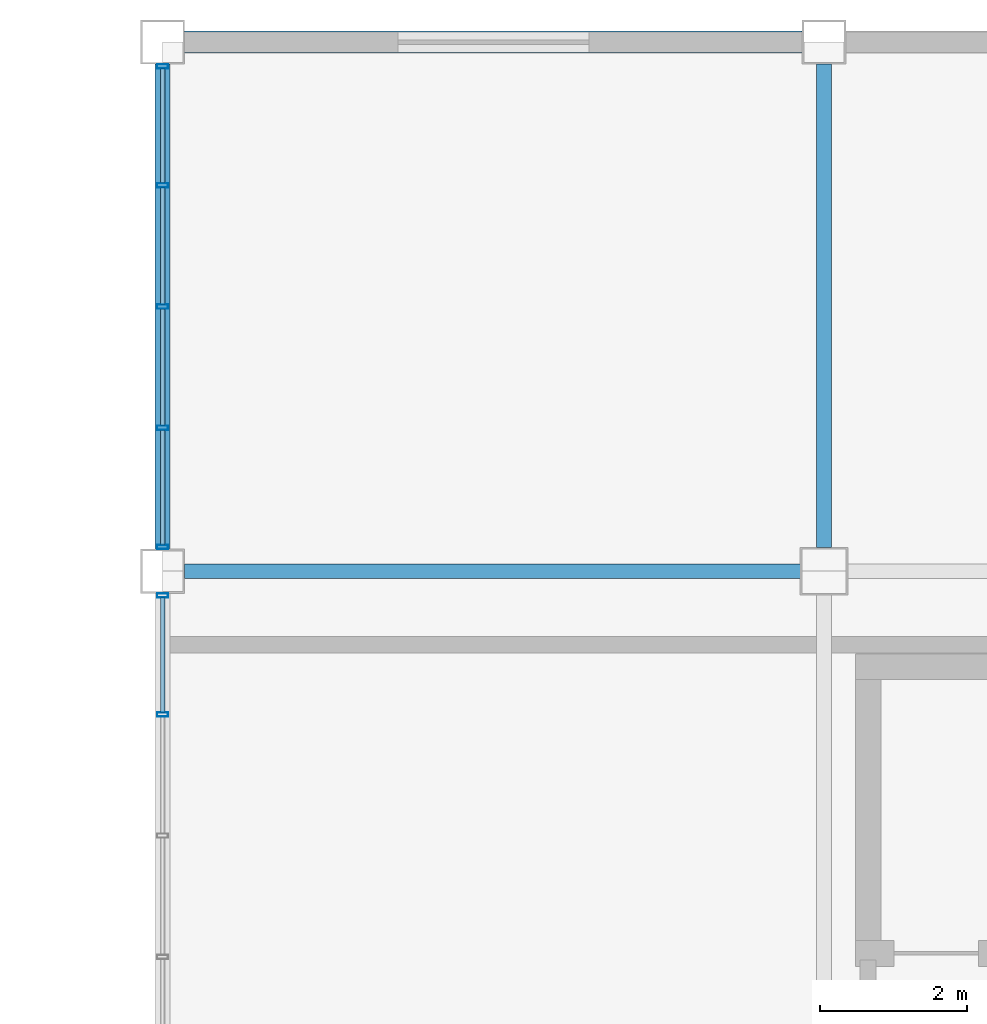
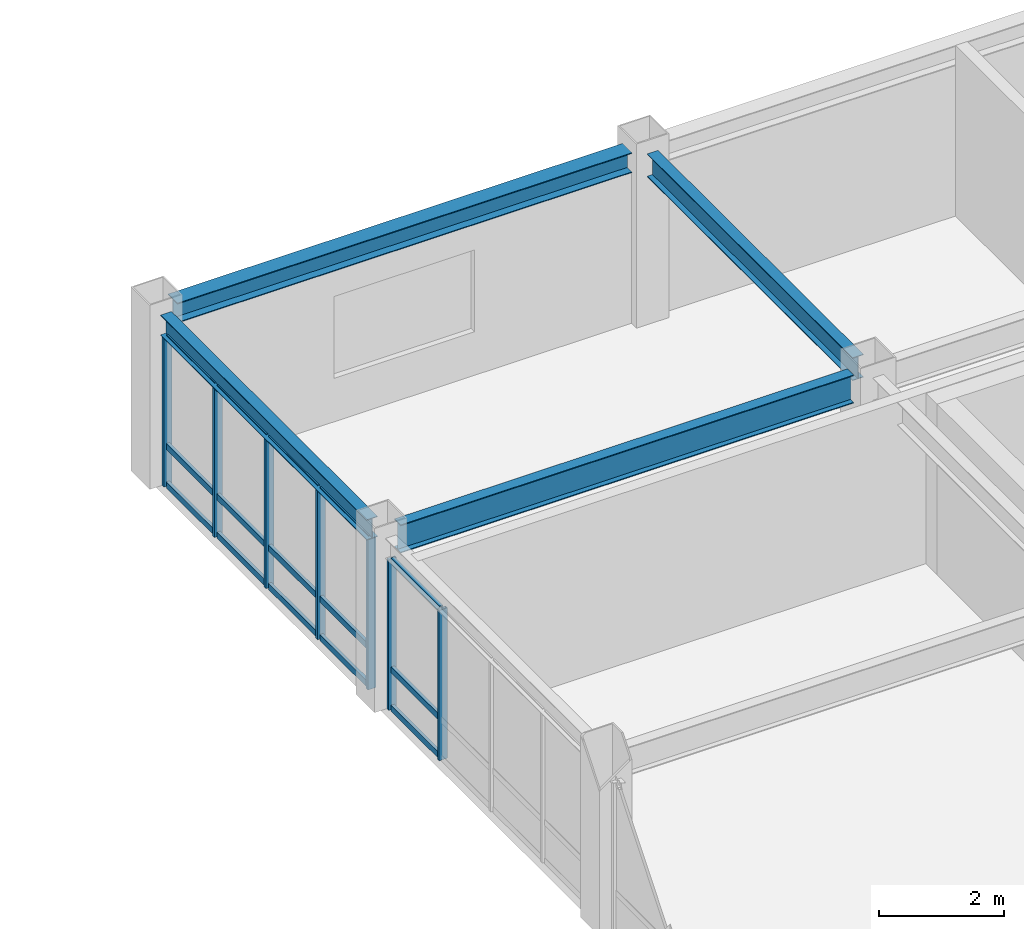
# One storey, part 20 of 34: 22 members, 4 beams, 2 elements without a shape of their own.
"""IFC4 building model written with IfcOpenShell, lengths in metres."""

from ifc_helpers import new_model, si_unit, direction, frame, origin, origin_2d, place, context, subcontext, project, spatial, hollow_rectangle, i_section, extrude, material, material_profile, profile_set, type_object, element, aggregate, save


model = new_model("IFC4")

# Units and contexts
model_context = context("Model", 3, precision=1e-05, world=origin(), true_north=direction((0.0, 1.0)))
body_context = subcontext(model_context, "Body", "Model", "MODEL_VIEW")
ifc_project = project(units=[si_unit("LENGTHUNIT", "METRE"), si_unit("AREAUNIT", "SQUARE_METRE"), si_unit("VOLUMEUNIT", "CUBIC_METRE"), si_unit("PLANEANGLEUNIT", "RADIAN"), si_unit("MASSUNIT", "GRAM", prefix="KILO")], contexts=[model_context])

# Site, building, storey
site_placement = place(None, origin())
site = spatial("IfcSite", under=ifc_project, at=site_placement, CompositionType="ELEMENT")
building_placement = place(site_placement, origin())
building = spatial("IfcBuilding", under=site, at=building_placement, Name="Kazanami Central Library", CompositionType="ELEMENT")
storey_placement = place(building_placement, frame((0.0, 0.0, 17.0)))
storey = spatial("IfcBuildingStorey", under=building, at=storey_placement, Name="L05", CompositionType="ELEMENT", Elevation=17.0)

# Beams
ifc_material_1 = material(Name="Steel SN490B (325 MPa)", Category="steel")
ifc_material_profile_1 = material_profile(ifc_material_1, i_section(OverallWidth=0.199951171875, OverallDepth=0.550048828125, WebThickness=0.010009765625, FlangeThickness=0.01611328125, at=origin_2d()), Name="H-550x200x10x16")
ifc_profile_set_1 = profile_set([ifc_material_profile_1], Name="Steel SN490B (325 MPa)")
beam_type_1 = type_object("IfcBeamType", Name="BM-G-X3", PredefinedType="BEAM", material=ifc_profile_set_1)
beam_1_placement = place(storey_placement, frame((117.298095703125, 86.39990234375, 3.06494140625), z_axis=(1.0, 0.0, 0.0), x_axis=(0.0, 1.0, 0.0)))
element("IfcBeam", 1, at=beam_1_placement, inside=storey, type_object=beam_type_1, Name="Girder G-X3 L05 N/14-15", PredefinedType="BEAM", context=body_context, shape_type="SweptSolid", body=[
    extrude(i_section(OverallWidth=0.199951171875, OverallDepth=0.550048828125, WebThickness=0.010009765625, FlangeThickness=0.01611328125, at=origin_2d()), origin(), (0.0, 0.0, 1.0), 8.37890625),
])
ifc_material_profile_2 = material_profile(ifc_material_1, i_section(OverallWidth=0.199951171875, OverallDepth=0.449951171875, WebThickness=0.009033203125, FlangeThickness=0.013916015625, at=origin_2d()), Name="H-450x200x9x14")
ifc_profile_set_2 = profile_set([ifc_material_profile_2], Name="Steel SN490B (325 MPa)")
beam_type_2 = type_object("IfcBeamType", Name="BM-G-Y3", PredefinedType="BEAM", material=ifc_profile_set_2)
beam_2_placement = place(storey_placement, frame((126.0, 86.722900390625, 3.114990234375), z_axis=(0.0, 1.0, 0.0), x_axis=(-1.0, 0.0, 0.0)))
element("IfcBeam", 2, at=beam_2_placement, inside=storey, type_object=beam_type_2, Name="Girder G-Y3 L05 15/N-O", PredefinedType="BEAM", context=body_context, shape_type="SweptSolid", body=[
    extrude(i_section(OverallWidth=0.199951171875, OverallDepth=0.449951171875, WebThickness=0.009033203125, FlangeThickness=0.013916015625, at=origin_2d()), origin(), (0.0, 0.0, 1.0), 6.5791015625),
])
ifc_material_profile_3 = material_profile(ifc_material_1, i_section(OverallWidth=0.199951171875, OverallDepth=0.39990234375, WebThickness=0.008056640625, FlangeThickness=0.012939453125, at=origin_2d()), Name="H-400x200x8x13")
ifc_profile_set_3 = profile_set([ifc_material_profile_3], Name="Steel SN490B (325 MPa)")
beam_type_3 = type_object("IfcBeamType", Name="BM-SP-3", PredefinedType="SPANDREL", material=ifc_profile_set_3)
beam_3_placement = place(storey_placement, frame((117.0, 86.697998046875, 3.139892578125), z_axis=(0.0, 1.0, 0.0), x_axis=(-1.0, 0.0, 0.0)))
element("IfcBeam", 3, at=beam_3_placement, inside=storey, type_object=beam_type_3, Name="Girder SP-3 L05 14/N-O", PredefinedType="SPANDREL", context=body_context, shape_type="SweptSolid", body=[
    extrude(i_section(OverallWidth=0.199951171875, OverallDepth=0.39990234375, WebThickness=0.008056640625, FlangeThickness=0.012939453125, at=origin_2d()), origin(), (0.0, 0.0, 1.0), 6.60400390625),
])
ifc_material_profile_4 = material_profile(ifc_material_1, i_section(OverallWidth=0.300048828125, OverallDepth=0.389892578125, WebThickness=0.010009765625, FlangeThickness=0.01611328125, at=origin_2d()), Name="H-390x300x10x16")
ifc_profile_set_4 = profile_set([ifc_material_profile_4], Name="Steel SN490B (325 MPa)")
beam_type_4 = type_object("IfcBeamType", Name="BM-SP-4", PredefinedType="SPANDREL", material=ifc_profile_set_4)
beam_4_placement = place(storey_placement, frame((117.298095703125, 93.60009765625, 3.14501953125), z_axis=(1.0, 0.0, 0.0), x_axis=(0.0, 1.0, 0.0)))
element("IfcBeam", 4, at=beam_4_placement, inside=storey, type_object=beam_type_4, Name="Girder SP-4 L05 O/14-15", PredefinedType="SPANDREL", context=body_context, shape_type="SweptSolid", body=[
    extrude(i_section(OverallWidth=0.300048828125, OverallDepth=0.389892578125, WebThickness=0.010009765625, FlangeThickness=0.01611328125, at=origin_2d()), origin(), (0.0, 0.0, 1.0), 8.40380859375),
])

# Curtain wall, members
ifc_material_2 = material(Name="Acid-Etched Low-E Laminated Glass", Category="glass")
curtain_wall_type = type_object("IfcCurtainWallType", Name="CW-6600x2940-M180", PredefinedType="USERDEFINED", material=ifc_material_2)
curtain_wall_1_placement = place(storey_placement, origin())
curtain_wall_1 = element("IfcCurtainWall", 5, at=curtain_wall_1_placement, inside=storey, type_object=curtain_wall_type, Name="Covered Link Bridge Curtain Wall CW-54 L05 W-14-11", ObjectType="UNITISED CURTAIN WALL", PredefinedType="USERDEFINED")
ifc_material_3 = material(Name="Anodised Aluminium A6063-T5", Category="aluminium")
ifc_material_profile_5 = material_profile(ifc_material_3, hollow_rectangle(XDim=0.06005859375, YDim=0.14990234375, WallThickness=0.00390625, at=origin_2d()), Name="ALU-MULL-60x150x4")
ifc_profile_set_5 = profile_set([ifc_material_profile_5], Name="Anodised Aluminium A6063-T5")
member_type_1 = type_object("IfcMemberType", Name="MEM-CW-M3", PredefinedType="MULLION", material=ifc_profile_set_5)
member_1_placement = place(storey_placement, frame((117.0, 84.449951171875, 0.0), z_axis=(0.0, 0.0, 1.0), x_axis=(0.0, 1.0, 0.0)))
member_1 = element("IfcMember", 6, at=member_1_placement, type_object=member_type_1, Name="CW-54 mullion 4", PredefinedType="MULLION", context=body_context, shape_type="SweptSolid", body=[
    extrude(hollow_rectangle(XDim=0.06005859375, YDim=0.14990234375, WallThickness=0.00390625, at=origin_2d()), origin(), (0.0, 0.0, 1.0), 2.93994140625),
])
member_2_placement = place(storey_placement, frame((117.0, 86.070068359375, 0.0), z_axis=(0.0, 0.0, 1.0), x_axis=(0.0, 1.0, 0.0)))
member_2 = element("IfcMember", 7, at=member_2_placement, type_object=member_type_1, Name="CW-54 mullion 5", PredefinedType="MULLION", context=body_context, shape_type="SweptSolid", body=[
    extrude(hollow_rectangle(XDim=0.06005859375, YDim=0.14990234375, WallThickness=0.00390625, at=origin_2d()), origin(), (0.0, 0.0, 1.0), 2.93994140625),
])

curtain_wall_2_placement = place(storey_placement, origin())
curtain_wall_2 = element("IfcCurtainWall", 8, at=curtain_wall_2_placement, inside=storey, type_object=curtain_wall_type, Name="Covered Link Bridge Curtain Wall CW-54 L05 W-14-12", ObjectType="UNITISED CURTAIN WALL", PredefinedType="USERDEFINED")
member_3_placement = place(storey_placement, frame((117.0, 86.72998046875, 0.0), z_axis=(0.0, 0.0, 1.0), x_axis=(0.0, 1.0, 0.0)))
member_3 = element("IfcMember", 9, at=member_3_placement, type_object=member_type_1, Name="CW-54 mullion 1", PredefinedType="MULLION", context=body_context, shape_type="SweptSolid", body=[
    extrude(hollow_rectangle(XDim=0.06005859375, YDim=0.14990234375, WallThickness=0.00390625, at=origin_2d()), origin(), (0.0, 0.0, 1.0), 2.93994140625),
])
member_4_placement = place(storey_placement, frame((117.0, 88.35009765625, 0.0), z_axis=(0.0, 0.0, 1.0), x_axis=(0.0, 1.0, 0.0)))
member_4 = element("IfcMember", 10, at=member_4_placement, type_object=member_type_1, Name="CW-54 mullion 2", PredefinedType="MULLION", context=body_context, shape_type="SweptSolid", body=[
    extrude(hollow_rectangle(XDim=0.06005859375, YDim=0.14990234375, WallThickness=0.00390625, at=origin_2d()), origin(), (0.0, 0.0, 1.0), 2.93994140625),
])
member_5_placement = place(storey_placement, frame((117.0, 90.0, 0.0), z_axis=(0.0, 0.0, 1.0), x_axis=(0.0, 1.0, 0.0)))
member_5 = element("IfcMember", 11, at=member_5_placement, type_object=member_type_1, Name="CW-54 mullion 3", PredefinedType="MULLION", context=body_context, shape_type="SweptSolid", body=[
    extrude(hollow_rectangle(XDim=0.06005859375, YDim=0.14990234375, WallThickness=0.00390625, at=origin_2d()), origin(), (0.0, 0.0, 1.0), 2.93994140625),
])
member_6_placement = place(storey_placement, frame((117.0, 91.64990234375, 0.0), z_axis=(0.0, 0.0, 1.0), x_axis=(0.0, 1.0, 0.0)))
member_6 = element("IfcMember", 12, at=member_6_placement, type_object=member_type_1, Name="CW-54 mullion 4", PredefinedType="MULLION", context=body_context, shape_type="SweptSolid", body=[
    extrude(hollow_rectangle(XDim=0.06005859375, YDim=0.14990234375, WallThickness=0.00390625, at=origin_2d()), origin(), (0.0, 0.0, 1.0), 2.93994140625),
])
member_7_placement = place(storey_placement, frame((117.0, 93.27001953125, 0.0), z_axis=(0.0, 0.0, 1.0), x_axis=(0.0, 1.0, 0.0)))
member_7 = element("IfcMember", 13, at=member_7_placement, type_object=member_type_1, Name="CW-54 mullion 5", PredefinedType="MULLION", context=body_context, shape_type="SweptSolid", body=[
    extrude(hollow_rectangle(XDim=0.06005859375, YDim=0.14990234375, WallThickness=0.00390625, at=origin_2d()), origin(), (0.0, 0.0, 1.0), 2.93994140625),
])

# Member
ifc_material_profile_6 = material_profile(ifc_material_3, hollow_rectangle(XDim=0.06005859375, YDim=0.1201171875, WallThickness=0.00341796875, at=origin_2d()), Name="ALU-TRAN-60x120x3.5")
ifc_profile_set_6 = profile_set([ifc_material_profile_6], Name="Anodised Aluminium A6063-T5")
member_type_2 = type_object("IfcMemberType", Name="MEM-CW-T3", PredefinedType="USERDEFINED", material=ifc_profile_set_6)
member_8_placement = place(storey_placement, frame((117.0, 84.47998046875, 0.030029296875), z_axis=(0.0, 1.0, 0.0), x_axis=(-1.0, 0.0, 0.0)))
member_8 = element("IfcMember", 14, at=member_8_placement, type_object=member_type_2, Name="CW-54 transom 4.1", ObjectType="TRANSOM", PredefinedType="USERDEFINED", context=body_context, shape_type="SweptSolid", body=[
    extrude(hollow_rectangle(XDim=0.06005859375, YDim=0.1201171875, WallThickness=0.00341796875, at=origin_2d()), origin(), (0.0, 0.0, 1.0), 1.56005859375),
])

member_9_placement = place(storey_placement, frame((117.0, 84.47998046875, 0.780029296875), z_axis=(0.0, 1.0, 0.0), x_axis=(-1.0, 0.0, 0.0)))
member_9 = element("IfcMember", 15, at=member_9_placement, type_object=member_type_2, Name="CW-54 transom 4.2", ObjectType="TRANSOM", PredefinedType="USERDEFINED", context=body_context, shape_type="SweptSolid", body=[
    extrude(hollow_rectangle(XDim=0.06005859375, YDim=0.1201171875, WallThickness=0.00341796875, at=origin_2d()), origin(), (0.0, 0.0, 1.0), 1.56005859375),
])

member_10_placement = place(storey_placement, frame((117.0, 84.47998046875, 2.909912109375), z_axis=(0.0, 1.0, 0.0), x_axis=(-1.0, 0.0, 0.0)))
member_10 = element("IfcMember", 16, at=member_10_placement, type_object=member_type_2, Name="CW-54 transom 4.3", ObjectType="TRANSOM", PredefinedType="USERDEFINED", context=body_context, shape_type="SweptSolid", body=[
    extrude(hollow_rectangle(XDim=0.06005859375, YDim=0.1201171875, WallThickness=0.00341796875, at=origin_2d()), origin(), (0.0, 0.0, 1.0), 1.56005859375),
])

aggregate(curtain_wall_1, [member_1, member_2, member_8, member_9, member_10])

member_11_placement = place(storey_placement, frame((117.0, 86.760009765625, 0.030029296875), z_axis=(0.0, 1.0, 0.0), x_axis=(-1.0, 0.0, 0.0)))
member_11 = element("IfcMember", 17, at=member_11_placement, type_object=member_type_2, Name="CW-54 transom 1.1", ObjectType="TRANSOM", PredefinedType="USERDEFINED", context=body_context, shape_type="SweptSolid", body=[
    extrude(hollow_rectangle(XDim=0.06005859375, YDim=0.1201171875, WallThickness=0.00341796875, at=origin_2d()), origin(), (0.0, 0.0, 1.0), 1.56005859375),
])

member_12_placement = place(storey_placement, frame((117.0, 86.760009765625, 0.780029296875), z_axis=(0.0, 1.0, 0.0), x_axis=(-1.0, 0.0, 0.0)))
member_12 = element("IfcMember", 18, at=member_12_placement, type_object=member_type_2, Name="CW-54 transom 1.2", ObjectType="TRANSOM", PredefinedType="USERDEFINED", context=body_context, shape_type="SweptSolid", body=[
    extrude(hollow_rectangle(XDim=0.06005859375, YDim=0.1201171875, WallThickness=0.00341796875, at=origin_2d()), origin(), (0.0, 0.0, 1.0), 1.56005859375),
])

member_13_placement = place(storey_placement, frame((117.0, 86.760009765625, 2.909912109375), z_axis=(0.0, 1.0, 0.0), x_axis=(-1.0, 0.0, 0.0)))
member_13 = element("IfcMember", 19, at=member_13_placement, type_object=member_type_2, Name="CW-54 transom 1.3", ObjectType="TRANSOM", PredefinedType="USERDEFINED", context=body_context, shape_type="SweptSolid", body=[
    extrude(hollow_rectangle(XDim=0.06005859375, YDim=0.1201171875, WallThickness=0.00341796875, at=origin_2d()), origin(), (0.0, 0.0, 1.0), 1.56005859375),
])

member_14_placement = place(storey_placement, frame((117.0, 88.3798828125, 0.030029296875), z_axis=(0.0, 1.0, 0.0), x_axis=(-1.0, 0.0, 0.0)))
member_14 = element("IfcMember", 20, at=member_14_placement, type_object=member_type_2, Name="CW-54 transom 2.1", ObjectType="TRANSOM", PredefinedType="USERDEFINED", context=body_context, shape_type="SweptSolid", body=[
    extrude(hollow_rectangle(XDim=0.06005859375, YDim=0.1201171875, WallThickness=0.00341796875, at=origin_2d()), origin(), (0.0, 0.0, 1.0), 1.590087890625),
])

member_15_placement = place(storey_placement, frame((117.0, 88.3798828125, 0.780029296875), z_axis=(0.0, 1.0, 0.0), x_axis=(-1.0, 0.0, 0.0)))
member_15 = element("IfcMember", 21, at=member_15_placement, type_object=member_type_2, Name="CW-54 transom 2.2", ObjectType="TRANSOM", PredefinedType="USERDEFINED", context=body_context, shape_type="SweptSolid", body=[
    extrude(hollow_rectangle(XDim=0.06005859375, YDim=0.1201171875, WallThickness=0.00341796875, at=origin_2d()), origin(), (0.0, 0.0, 1.0), 1.590087890625),
])

member_16_placement = place(storey_placement, frame((117.0, 88.3798828125, 2.909912109375), z_axis=(0.0, 1.0, 0.0), x_axis=(-1.0, 0.0, 0.0)))
member_16 = element("IfcMember", 22, at=member_16_placement, type_object=member_type_2, Name="CW-54 transom 2.3", ObjectType="TRANSOM", PredefinedType="USERDEFINED", context=body_context, shape_type="SweptSolid", body=[
    extrude(hollow_rectangle(XDim=0.06005859375, YDim=0.1201171875, WallThickness=0.00341796875, at=origin_2d()), origin(), (0.0, 0.0, 1.0), 1.590087890625),
])

member_17_placement = place(storey_placement, frame((117.0, 90.030029296875, 0.030029296875), z_axis=(0.0, 1.0, 0.0), x_axis=(-1.0, 0.0, 0.0)))
member_17 = element("IfcMember", 23, at=member_17_placement, type_object=member_type_2, Name="CW-54 transom 3.1", ObjectType="TRANSOM", PredefinedType="USERDEFINED", context=body_context, shape_type="SweptSolid", body=[
    extrude(hollow_rectangle(XDim=0.06005859375, YDim=0.1201171875, WallThickness=0.00341796875, at=origin_2d()), origin(), (0.0, 0.0, 1.0), 1.590087890625),
])

member_18_placement = place(storey_placement, frame((117.0, 90.030029296875, 0.780029296875), z_axis=(0.0, 1.0, 0.0), x_axis=(-1.0, 0.0, 0.0)))
member_18 = element("IfcMember", 24, at=member_18_placement, type_object=member_type_2, Name="CW-54 transom 3.2", ObjectType="TRANSOM", PredefinedType="USERDEFINED", context=body_context, shape_type="SweptSolid", body=[
    extrude(hollow_rectangle(XDim=0.06005859375, YDim=0.1201171875, WallThickness=0.00341796875, at=origin_2d()), origin(), (0.0, 0.0, 1.0), 1.590087890625),
])

member_19_placement = place(storey_placement, frame((117.0, 90.030029296875, 2.909912109375), z_axis=(0.0, 1.0, 0.0), x_axis=(-1.0, 0.0, 0.0)))
member_19 = element("IfcMember", 25, at=member_19_placement, type_object=member_type_2, Name="CW-54 transom 3.3", ObjectType="TRANSOM", PredefinedType="USERDEFINED", context=body_context, shape_type="SweptSolid", body=[
    extrude(hollow_rectangle(XDim=0.06005859375, YDim=0.1201171875, WallThickness=0.00341796875, at=origin_2d()), origin(), (0.0, 0.0, 1.0), 1.590087890625),
])

member_20_placement = place(storey_placement, frame((117.0, 91.679931640625, 0.030029296875), z_axis=(0.0, 1.0, 0.0), x_axis=(-1.0, 0.0, 0.0)))
member_20 = element("IfcMember", 26, at=member_20_placement, type_object=member_type_2, Name="CW-54 transom 4.1", ObjectType="TRANSOM", PredefinedType="USERDEFINED", context=body_context, shape_type="SweptSolid", body=[
    extrude(hollow_rectangle(XDim=0.06005859375, YDim=0.1201171875, WallThickness=0.00341796875, at=origin_2d()), origin(), (0.0, 0.0, 1.0), 1.56005859375),
])

member_21_placement = place(storey_placement, frame((117.0, 91.679931640625, 0.780029296875), z_axis=(0.0, 1.0, 0.0), x_axis=(-1.0, 0.0, 0.0)))
member_21 = element("IfcMember", 27, at=member_21_placement, type_object=member_type_2, Name="CW-54 transom 4.2", ObjectType="TRANSOM", PredefinedType="USERDEFINED", context=body_context, shape_type="SweptSolid", body=[
    extrude(hollow_rectangle(XDim=0.06005859375, YDim=0.1201171875, WallThickness=0.00341796875, at=origin_2d()), origin(), (0.0, 0.0, 1.0), 1.56005859375),
])

member_22_placement = place(storey_placement, frame((117.0, 91.679931640625, 2.909912109375), z_axis=(0.0, 1.0, 0.0), x_axis=(-1.0, 0.0, 0.0)))
member_22 = element("IfcMember", 28, at=member_22_placement, type_object=member_type_2, Name="CW-54 transom 4.3", ObjectType="TRANSOM", PredefinedType="USERDEFINED", context=body_context, shape_type="SweptSolid", body=[
    extrude(hollow_rectangle(XDim=0.06005859375, YDim=0.1201171875, WallThickness=0.00341796875, at=origin_2d()), origin(), (0.0, 0.0, 1.0), 1.56005859375),
])

aggregate(curtain_wall_2, [member_3, member_4, member_5, member_6, member_7, member_11, member_12, member_13, member_14, member_15, member_16, member_17, member_18, member_19, member_20, member_21, member_22])

save(model, "model.ifc")
